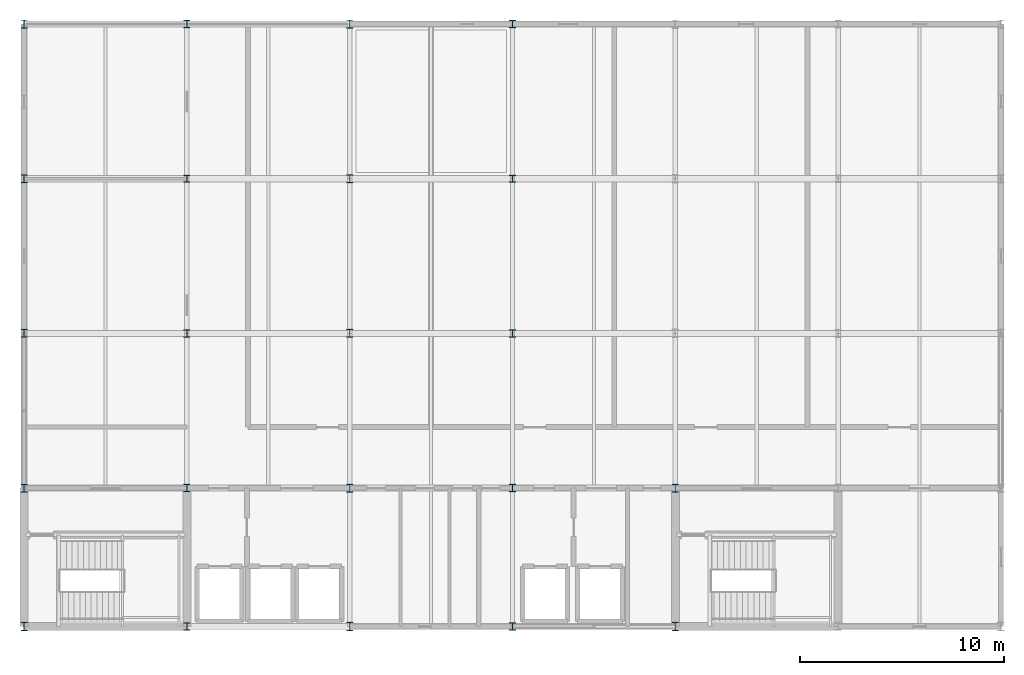
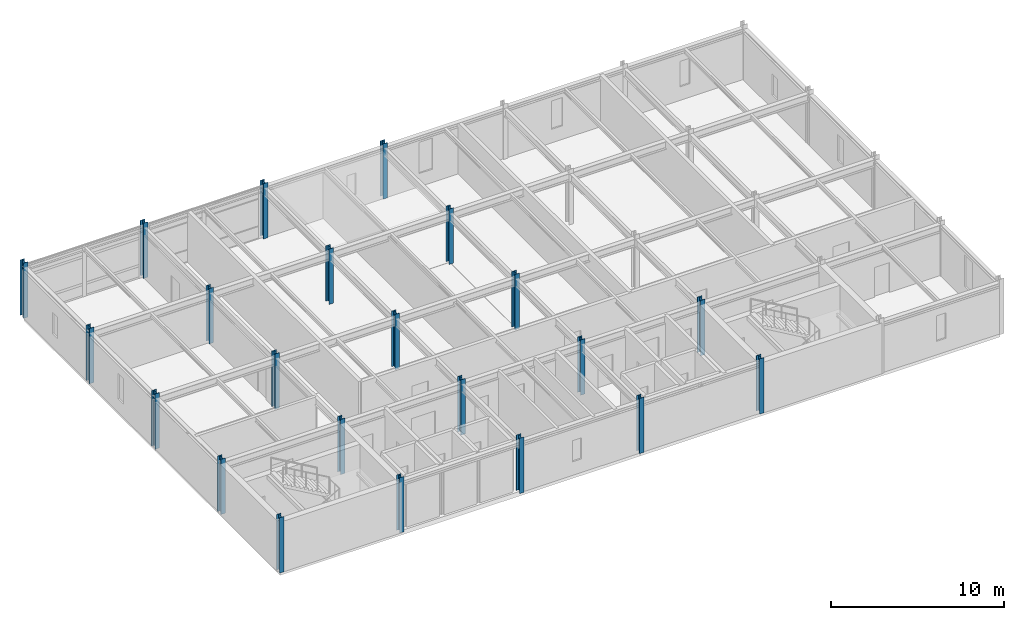
# One storey, part 1 of 9: 22 columns.
"""IFC4 building model written with IfcOpenShell, lengths in metres."""

from ifc_helpers import new_model, si_unit, direction, frame, origin, origin_2d, place, context, subcontext, project, spatial, i_section, extrude, material, material_profile, profile_set, type_object, element, save


model = new_model("IFC4")

# Units and contexts
model_context = context("Model", 3, precision=1e-05, world=origin(), true_north=direction((0.0, 1.0)))
body_context = subcontext(model_context, "Body", "Model", "MODEL_VIEW")
ifc_project = project(units=[si_unit("LENGTHUNIT", "METRE"), si_unit("AREAUNIT", "SQUARE_METRE"), si_unit("VOLUMEUNIT", "CUBIC_METRE"), si_unit("PLANEANGLEUNIT", "RADIAN"), si_unit("MASSUNIT", "GRAM", prefix="KILO")], contexts=[model_context])

# Site, building, storey
site_placement = place(None, origin())
site = spatial("IfcSite", under=ifc_project, at=site_placement, CompositionType="ELEMENT")
building_placement = place(site_placement, origin())
building = spatial("IfcBuilding", under=site, at=building_placement, Name="Shalkamar Park Central Library", CompositionType="ELEMENT")
storey_placement = place(building_placement, frame((0.0, 0.0, 60.0)))
storey = spatial("IfcBuildingStorey", under=building, at=storey_placement, Name="L15", CompositionType="ELEMENT", Elevation=60.0)

# Columns
ifc_material = material(Name="Steel S355", Category="steel")
ifc_material_profile_1 = material_profile(ifc_material, i_section(OverallWidth=0.300048828125, OverallDepth=0.360107421875, WebThickness=0.012451171875, FlangeThickness=0.0224609375, FilletRadius=0.027099609375, at=origin_2d()), Name="HEB 360")
ifc_profile_set_1 = profile_set([ifc_material_profile_1], Name="Steel S355")
column_type_1 = type_object("IfcColumnType", Name="Column Steel HEB360", PredefinedType="COLUMN", material=ifc_profile_set_1)
for number, where, z_axis, x_axis, name in (
    (1, (173.0, 248.39990234375, 0.0), (0.0, 0.0, 1.0), (1.0, 0.0, 0.0), "Column 08/B (L15)"),
    (2, (173.0, 255.199951171875, 0.0), (0.0, 0.0, 1.0), (1.0, 0.0, 0.0), "Column 08/C (L15)"),
    (3, (173.0, 262.800048828125, 0.0), (0.0, 0.0, 1.0), (1.0, 0.0, 0.0), "Column 08/D (L15)"),
    (4, (173.0, 270.39990234375, 0.0), (0.0, 0.0, 1.0), (1.0, 0.0, 0.0), "Column 08/E (L15)"),
    (5, (173.0, 278.0, 0.0), (0.0, 0.0, 1.0), (1.0, 0.0, 0.0), "Column 08/F (L15)"),
    (6, (189.0, 248.39990234375, 0.0), (0.0, 0.0, 1.0), (1.0, 0.0, 0.0), "Column 10/B (L15)"),
    (7, (189.0, 255.199951171875, 0.0), (0.0, 0.0, 1.0), (1.0, 0.0, 0.0), "Column 10/C (L15)"),
    (8, (189.0, 262.800048828125, 0.0), (0.0, 0.0, 1.0), (1.0, 0.0, 0.0), "Column 10/D (L15)"),
    (9, (189.0, 270.39990234375, 0.0), (0.0, 0.0, 1.0), (1.0, 0.0, 0.0), "Column 10/E (L15)"),
    (10, (189.0, 278.0, 0.0), (0.0, 0.0, 1.0), (1.0, 0.0, 0.0), "Column 10/F (L15)"),
):
    element("IfcColumn", number, at=place(storey_placement, frame(where, z_axis=z_axis, x_axis=x_axis)), inside=storey, type_object=column_type_1, Name=name, PredefinedType="COLUMN", context=body_context, shape_type="SweptSolid", body=[
        extrude(i_section(OverallWidth=0.300048828125, OverallDepth=0.360107421875, WebThickness=0.012451171875, FlangeThickness=0.0224609375, FilletRadius=0.027099609375, at=origin_2d()), origin(), (0.0, 0.0, 1.0), 3.89990234375),
    ])
ifc_material_profile_2 = material_profile(ifc_material, i_section(OverallWidth=0.300048828125, OverallDepth=0.39990234375, WebThickness=0.013427734375, FlangeThickness=0.02392578125, FilletRadius=0.027099609375, at=origin_2d()), Name="HEB 400")
ifc_profile_set_2 = profile_set([ifc_material_profile_2], Name="Steel S355")
column_type_2 = type_object("IfcColumnType", Name="Column Steel HEB400", PredefinedType="COLUMN", material=ifc_profile_set_2)
for number, where, z_axis, x_axis, name in (
    (11, (165.0, 248.39990234375, 0.0), (0.0, 0.0, 1.0), (1.0, 0.0, 0.0), "Column 07/B (L15)"),
    (12, (165.0, 255.199951171875, 0.0), (0.0, 0.0, 1.0), (1.0, 0.0, 0.0), "Column 07/C (L15)"),
    (13, (165.0, 262.800048828125, 0.0), (0.0, 0.0, 1.0), (1.0, 0.0, 0.0), "Column 07/D (L15)"),
    (14, (165.0, 270.39990234375, 0.0), (0.0, 0.0, 1.0), (1.0, 0.0, 0.0), "Column 07/E (L15)"),
    (15, (165.0, 278.0, 0.0), (0.0, 0.0, 1.0), (1.0, 0.0, 0.0), "Column 07/F (L15)"),
    (16, (181.0, 248.39990234375, 0.0), (0.0, 0.0, 1.0), (1.0, 0.0, 0.0), "Column 09/B (L15)"),
    (17, (181.0, 255.199951171875, 0.0), (0.0, 0.0, 1.0), (1.0, 0.0, 0.0), "Column 09/C (L15)"),
    (18, (181.0, 262.800048828125, 0.0), (0.0, 0.0, 1.0), (1.0, 0.0, 0.0), "Column 09/D (L15)"),
    (19, (181.0, 270.39990234375, 0.0), (0.0, 0.0, 1.0), (1.0, 0.0, 0.0), "Column 09/E (L15)"),
    (20, (181.0, 278.0, 0.0), (0.0, 0.0, 1.0), (1.0, 0.0, 0.0), "Column 09/F (L15)"),
    (21, (197.0, 248.39990234375, 0.0), (0.0, 0.0, 1.0), (1.0, 0.0, 0.0), "Column 11/B (L15)"),
    (22, (197.0, 255.199951171875, 0.0), (0.0, 0.0, 1.0), (1.0, 0.0, 0.0), "Column 11/C (L15)"),
):
    element("IfcColumn", number, at=place(storey_placement, frame(where, z_axis=z_axis, x_axis=x_axis)), inside=storey, type_object=column_type_2, Name=name, PredefinedType="COLUMN", context=body_context, shape_type="SweptSolid", body=[
        extrude(i_section(OverallWidth=0.300048828125, OverallDepth=0.39990234375, WebThickness=0.013427734375, FlangeThickness=0.02392578125, FilletRadius=0.027099609375, at=origin_2d()), origin(), (0.0, 0.0, 1.0), 3.89990234375),
    ])

save(model, "model.ifc")
